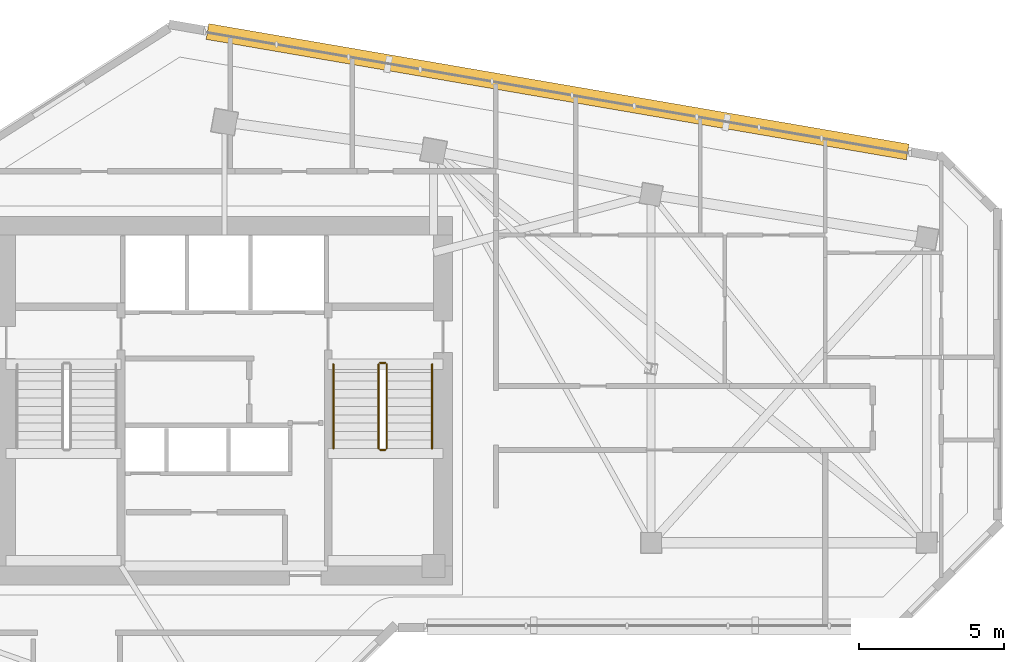
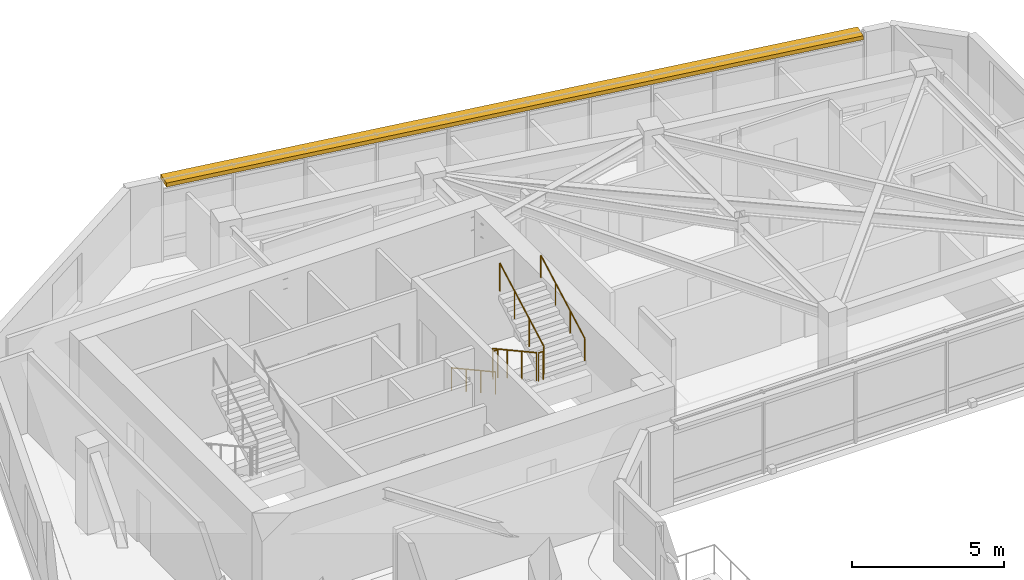
# One storey, part 10 of 10: 6 railings, 1 shading device.
"""IFC4 building model written with IfcOpenShell, lengths in metres."""

from ifc_helpers import new_model, si_unit, direction, frame, frame_2d, origin, origin_2d, place, context, subcontext, project, spatial, rectangle, circle, extrude, material, type_object, element, save


model = new_model("IFC4")

# Units and contexts
model_context = context("Model", 3, precision=1e-05, world=origin(), true_north=direction((0.0, 1.0)))
body_context = subcontext(model_context, "Body", "Model", "MODEL_VIEW")
ifc_project = project(units=[si_unit("LENGTHUNIT", "METRE"), si_unit("AREAUNIT", "SQUARE_METRE"), si_unit("VOLUMEUNIT", "CUBIC_METRE"), si_unit("PLANEANGLEUNIT", "RADIAN"), si_unit("MASSUNIT", "GRAM", prefix="KILO")], contexts=[model_context])

# Site, building, storey
site_placement = place(None, origin())
site = spatial("IfcSite", under=ifc_project, at=site_placement, CompositionType="ELEMENT")
building_placement = place(site_placement, origin())
building = spatial("IfcBuilding", under=site, at=building_placement, Name="Calvemar Wedge Station Tower", CompositionType="ELEMENT")
storey_placement = place(building_placement, frame((0.0, 0.0, 193.89990234375)))
storey = spatial("IfcBuildingStorey", under=building, at=storey_placement, Name="L48", CompositionType="ELEMENT", Elevation=193.89990234375)

# Railings
ifc_material_1 = material(Name="Stainless steel AISI 316L", Category="steel")
railing_type_1 = type_object("IfcRailingType", Name="RL-HANDRAIL-920", PredefinedType="HANDRAIL", material=ifc_material_1)
railing_1_placement = place(storey_placement, frame((27.550048828125, 41.14990234375, 0.1591796875)))
element("IfcRailing", 1, at=railing_1_placement, inside=storey, type_object=railing_type_1, Name="L48 ST-C2 stair handrail 1", PredefinedType="HANDRAIL", context=body_context, shape_type="SweptSolid", body=[
    extrude(circle(Radius=0.02392578125, at=origin_2d()), frame((0.0, 0.0, 0.89599609375), z_axis=(0.0, -0.876742130028, 0.480960744171), x_axis=(1.0, 0.0, 0.0)), (0.0, 0.0, 1.0), 3.3076171875),
    extrude(circle(Radius=0.02099609375, at=origin_2d()), origin(), (0.0, 0.0, 1.0), 0.871826171875),
    extrude(circle(Radius=0.02099609375, at=origin_2d()), frame((0.0, -0.966552734375, 0.5302734375)), (0.0, 0.0, 1.0), 0.871826171875),
    extrude(circle(Radius=0.02099609375, at=origin_2d()), frame((0.0, -1.933349609375, 1.060546875)), (0.0, 0.0, 1.0), 0.871826171875),
    extrude(circle(Radius=0.02099609375, at=origin_2d()), frame((0.0, -2.89990234375, 1.5908203125)), (0.0, 0.0, 1.0), 0.871826171875),
])
railing_2_placement = place(storey_placement, frame((30.949951171875, 38.25, 1.9091796875)))
element("IfcRailing", 2, at=railing_2_placement, inside=storey, type_object=railing_type_1, Name="L48 ST-C2 stair handrail 2", PredefinedType="HANDRAIL", context=body_context, shape_type="SweptSolid", body=[
    extrude(circle(Radius=0.02392578125, at=origin_2d()), frame((0.0, 0.0, 0.89599609375), z_axis=(0.0, 0.876742130028, 0.480960744171), x_axis=(-1.0, 0.0, 0.0)), (0.0, 0.0, 1.0), 3.3076171875),
    extrude(circle(Radius=0.02099609375, at=origin_2d()), origin(), (0.0, 0.0, 1.0), 0.871826171875),
    extrude(circle(Radius=0.02099609375, at=origin_2d()), frame((0.0, 0.966552734375, 0.5302734375)), (0.0, 0.0, 1.0), 0.871826171875),
    extrude(circle(Radius=0.02099609375, at=origin_2d()), frame((0.0, 1.933349609375, 1.060546875)), (0.0, 0.0, 1.0), 0.871826171875),
    extrude(circle(Radius=0.02099609375, at=origin_2d()), frame((0.0, 2.89990234375, 1.5908203125)), (0.0, 0.0, 1.0), 0.871826171875),
])
ifc_material_2 = material(Name="Painted steel guardrail ASTM A500 Grade C", Category="steel")
railing_type_2 = type_object("IfcRailingType", Name="RL-STAIR-GUARD-1150", PredefinedType="GUARDRAIL", material=ifc_material_2)
railing_3_placement = place(storey_placement, frame((29.110107421875, 41.14990234375, 0.1591796875)))
element("IfcRailing", 3, at=railing_3_placement, inside=storey, type_object=railing_type_2, Name="L48 ST-C2 stair guard 1", PredefinedType="GUARDRAIL", context=body_context, shape_type="SweptSolid", body=[
    extrude(circle(Radius=0.02392578125, at=origin_2d()), frame((0.0, 0.0, 1.1259765625), z_axis=(0.0, -0.876742130028, 0.480960744171), x_axis=(1.0, 0.0, 0.0)), (0.0, 0.0, 1.0), 3.3076171875),
    extrude(circle(Radius=0.02099609375, at=origin_2d()), origin(), (0.0, 0.0, 1.0), 1.101806640625),
    extrude(circle(Radius=0.02099609375, at=origin_2d()), frame((0.0, -0.966552734375, 0.5302734375)), (0.0, 0.0, 1.0), 1.101806640625),
    extrude(circle(Radius=0.02099609375, at=origin_2d()), frame((0.0, -1.933349609375, 1.060546875)), (0.0, 0.0, 1.0), 1.101806640625),
    extrude(circle(Radius=0.02099609375, at=origin_2d()), frame((0.0, -2.89990234375, 1.5908203125)), (0.0, 0.0, 1.0), 1.101806640625),
])
railing_4_placement = place(storey_placement, frame((29.159912109375, 38.199951171875, 1.75)))
element("IfcRailing", 4, at=railing_4_placement, inside=storey, type_object=railing_type_2, Name="L48 ST-C2 stair guard 2", PredefinedType="GUARDRAIL", context=body_context, shape_type="SweptSolid", body=[
    extrude(circle(Radius=0.02392578125, at=origin_2d()), frame((0.0, 0.0, 1.1259765625), z_axis=(1.0, 0.0, 0.0), x_axis=(0.0, 1.0, 0.0)), (0.0, 0.0, 1.0), 0.18017578125),
    extrude(circle(Radius=0.02099609375, at=origin_2d()), origin(), (0.0, 0.0, 1.0), 1.101806640625),
    extrude(circle(Radius=0.02099609375, at=origin_2d()), frame((0.18017578125, 0.0, 0.0)), (0.0, 0.0, 1.0), 1.101806640625),
])
railing_5_placement = place(storey_placement, frame((29.389892578125, 38.25, 1.9091796875)))
element("IfcRailing", 5, at=railing_5_placement, inside=storey, type_object=railing_type_2, Name="L48 ST-C2 stair guard 3", PredefinedType="GUARDRAIL", context=body_context, shape_type="SweptSolid", body=[
    extrude(circle(Radius=0.02392578125, at=origin_2d()), frame((0.0, 0.0, 1.1259765625), z_axis=(0.0, 0.876742130028, 0.480960744171), x_axis=(-1.0, 0.0, 0.0)), (0.0, 0.0, 1.0), 3.3076171875),
    extrude(circle(Radius=0.02099609375, at=origin_2d()), origin(), (0.0, 0.0, 1.0), 1.101806640625),
    extrude(circle(Radius=0.02099609375, at=origin_2d()), frame((0.0, 0.966552734375, 0.5302734375)), (0.0, 0.0, 1.0), 1.101806640625),
    extrude(circle(Radius=0.02099609375, at=origin_2d()), frame((0.0, 1.933349609375, 1.060546875)), (0.0, 0.0, 1.0), 1.101806640625),
    extrude(circle(Radius=0.02099609375, at=origin_2d()), frame((0.0, 2.89990234375, 1.5908203125)), (0.0, 0.0, 1.0), 1.101806640625),
])
railing_6_placement = place(storey_placement, frame((29.159912109375, 41.199951171875, 0.0)))
element("IfcRailing", 6, at=railing_6_placement, inside=storey, type_object=railing_type_2, Name="L48 ST-C2 stair guard 4", PredefinedType="GUARDRAIL", context=body_context, shape_type="SweptSolid", body=[
    extrude(circle(Radius=0.02392578125, at=origin_2d()), frame((0.0, 0.0, 1.1259765625), z_axis=(1.0, 0.0, 0.0), x_axis=(0.0, 1.0, 0.0)), (0.0, 0.0, 1.0), 0.18017578125),
    extrude(circle(Radius=0.02099609375, at=origin_2d()), origin(), (0.0, 0.0, 1.0), 1.101806640625),
    extrude(circle(Radius=0.02099609375, at=origin_2d()), frame((0.18017578125, 0.0, 0.0)), (0.0, 0.0, 1.0), 1.101806640625),
])

# Shading device
ifc_material_3 = material(Name="Precast concrete C45", Category="concrete")
shading_device_type = type_object("IfcShadingDeviceType", Name="SHD-EYEBROW-1", PredefinedType="SHUTTER", material=ifc_material_3)
shading_device_placement = place(storey_placement, frame((47.341552734375, 48.468017578125, 3.070068359375), z_axis=(0.0, 0.0, 1.0), x_axis=(-0.985523833076, 0.169536941225, 0.0)))
element("IfcShadingDevice", 7, at=shading_device_placement, inside=storey, type_object=shading_device_type, Name="Storey L48 Bronze GFRC Solar Eyebrow 10", PredefinedType="SHUTTER", context=body_context, shape_type="SweptSolid", body=[
    extrude(rectangle(XDim=24.485107421875, YDim=0.550048828125, at=frame_2d((12.24267578125, 0.0))), origin(), (0.0, 0.0, 1.0), 0.159912109375),
])

save(model, "model.ifc")
